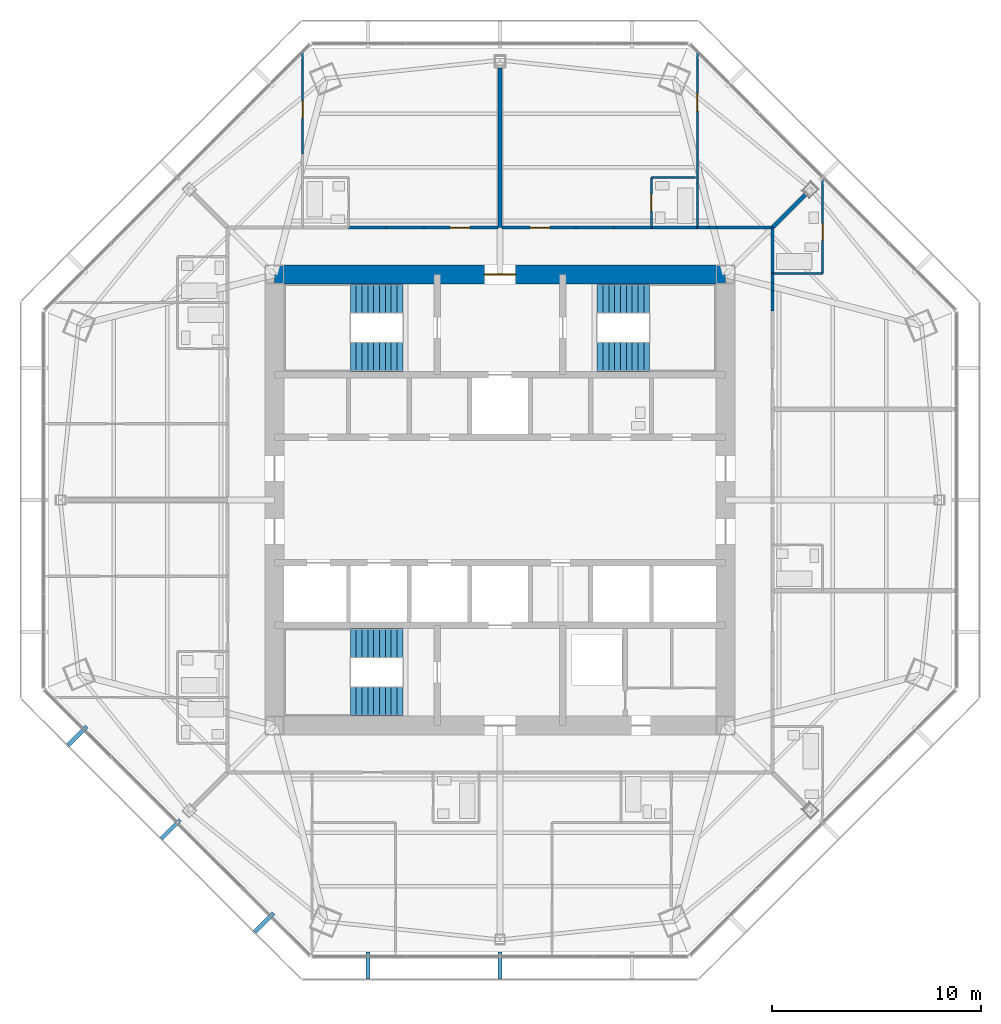
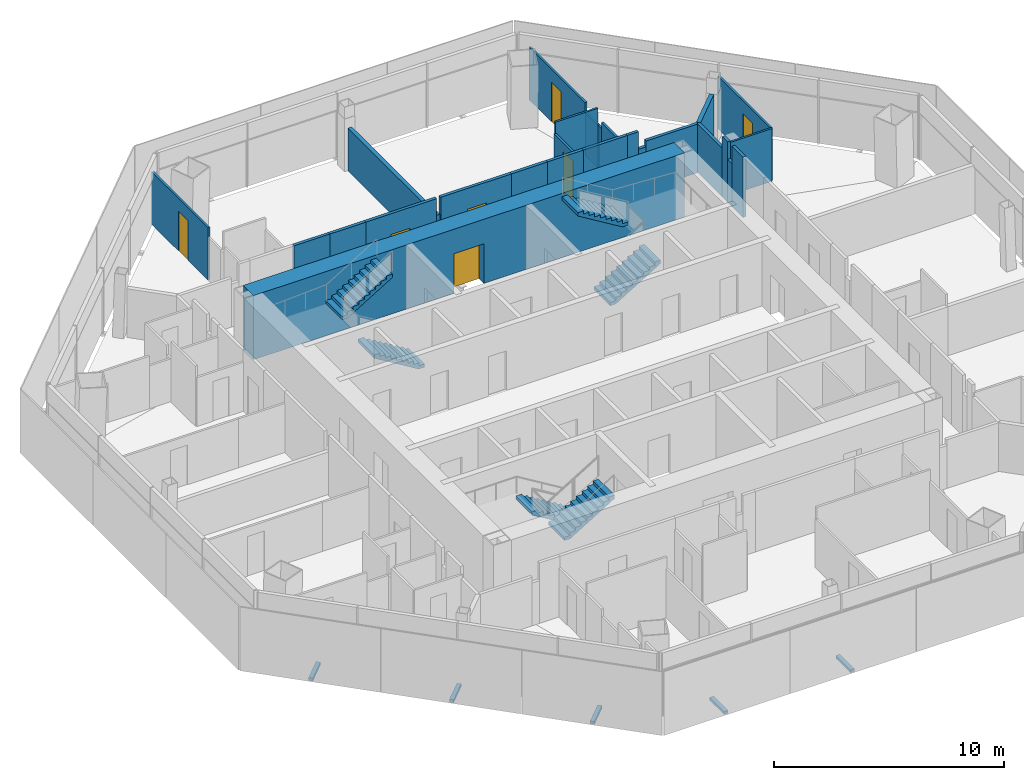
# One storey, part 12 of 16: 26 walls, 7 doors, 6 stair flights, 5 discrete accessories, 7 openings, 3 elements without a shape of their own.
"""IFC4 building model written with IfcOpenShell, lengths in metres."""

import ifcopenshell
import ifcopenshell.guid

model = None  # the IFC model being written
_history = None  # IfcOwnerHistory: only IFC2X3 demands one
_inside = {}  # id of a spatial element -> (the spatial element, [elements in it])
_under = {}  # id of a project, library or spatial element -> (it, [spatial elements below it])
_declared = {}  # id of a project -> (the project, [libraries it declares])
_typed = {}  # id of a type object -> (the type object, [elements of that type])
_made_of = {}  # id of a material, layer set ... -> (it, [elements and type objects made of it])


def new_model(schema):
    """Start an empty IFC model of exactly this schema.

    Asked for "IFC4X3", IfcOpenShell would pick the latest addendum, in which some entities
    have other attributes; the version numbers below select the first issue.
    IFC2X3 requires an IfcOwnerHistory on every rooted entity: one is made here for all.
    """
    global model, _history
    if schema == "IFC4X3":
        model = ifcopenshell.file(schema_version=(4, 3, 0, 0))
    else:
        model = ifcopenshell.file(schema=schema)
    _inside.clear()
    _under.clear()
    _declared.clear()
    _typed.clear()
    _made_of.clear()
    _history = None
    if model.schema == "IFC2X3":
        org = make("IfcOrganization", Name="unknown")
        user = make(
            "IfcPersonAndOrganization",
            ThePerson=make("IfcPerson", FamilyName="unknown"),
            TheOrganization=org,
        )
        app = make(
            "IfcApplication",
            ApplicationDeveloper=org,
            Version="unknown",
            ApplicationFullName="unknown",
            ApplicationIdentifier="unknown",
        )
        _history = make(
            "IfcOwnerHistory",
            OwningUser=user,
            OwningApplication=app,
            ChangeAction="ADDED",
            CreationDate=0,
        )
    return model


def make(cls, **values):
    """One entity of the class cls with the attributes given. An attribute that is None is left unset."""
    return model.create_entity(
        cls, **{name: value for name, value in values.items() if value is not None}
    )


def rooted(cls, **values):
    """An entity with a GlobalId (a new one), such as an element, a storey or a relation."""
    return make(cls, GlobalId=ifcopenshell.guid.new(), OwnerHistory=_history, **values)


def si_unit(unit_type, name, prefix=None):
    """IfcSIUnit, for example si_unit("LENGTHUNIT", "METRE", prefix="MILLI")."""
    return make("IfcSIUnit", UnitType=unit_type, Prefix=prefix, Name=name)


def assignment(units):
    """IfcUnitAssignment: the units of a project."""
    return None if units is None else make("IfcUnitAssignment", Units=units)


def point(xyz):
    """IfcCartesianPoint."""
    return None if xyz is None else make("IfcCartesianPoint", Coordinates=xyz)


def direction(xyz):
    """IfcDirection."""
    return None if xyz is None else make("IfcDirection", DirectionRatios=xyz)


def frame(location, z_axis=None, x_axis=None):
    """IfcAxis2Placement3D, a coordinate frame: its origin and axes. An axis left out is left unset."""
    return make(
        "IfcAxis2Placement3D",
        Location=point(location),
        Axis=direction(z_axis),
        RefDirection=direction(x_axis),
    )


def frame_2d(location, x_axis=None):
    """IfcAxis2Placement2D, a coordinate frame in the plane: its origin and x axis."""
    return make(
        "IfcAxis2Placement2D", Location=point(location), RefDirection=direction(x_axis)
    )


def origin():
    """The frame at (0, 0, 0) with its axes left unset."""
    return frame((0.0, 0.0, 0.0))


def origin_2d():
    """The frame at (0, 0) in the plane with its x axis left unset."""
    return frame_2d((0.0, 0.0))


def place(relative_to, where):
    """IfcLocalPlacement: puts the frame where relative to a parent placement (None: the world)."""
    return make(
        "IfcLocalPlacement", PlacementRelTo=relative_to, RelativePlacement=where
    )


def context(
    kind, dimensions, precision=None, world=None, true_north=None, identifier=None
):
    """IfcGeometricRepresentationContext, for example the 3D "Model" context."""
    return make(
        "IfcGeometricRepresentationContext",
        ContextIdentifier=identifier,
        ContextType=kind,
        CoordinateSpaceDimension=dimensions,
        Precision=precision,
        WorldCoordinateSystem=world,
        TrueNorth=true_north,
    )


def subcontext(parent, identifier, kind, view, scale=None):
    """IfcGeometricRepresentationSubContext, for example "Body" below "Model"."""
    return make(
        "IfcGeometricRepresentationSubContext",
        ContextIdentifier=identifier,
        ContextType=kind,
        ParentContext=parent,
        TargetScale=scale,
        TargetView=view,
    )


def project(units=None, contexts=None):
    """IfcProject with its units and contexts."""
    return rooted(
        "IfcProject",
        Name="project",
        RepresentationContexts=contexts,
        UnitsInContext=assignment(units),
    )


def spatial(cls, under=None, at=None, **own):
    """A site, building, storey or space (cls), placed at a placement, below another one or the project."""
    s = rooted(cls, ObjectPlacement=at, **own)
    if under is not None:
        _under.setdefault(under.id(), (under, []))[1].append(s)
    return s


def polyline(points):
    """IfcPolyline through the points."""
    return make("IfcPolyline", Points=[point(p) for p in points])


def profile(cls, at=None, kind="AREA", **sizes):
    """A parametric profile (cls). Its sizes go by their IFC names, for example OverallWidth=200.0."""
    return make(cls, ProfileType=kind, Position=at, **sizes)


def rectangle(**sizes):
    """IfcRectangleProfileDef."""
    return profile("IfcRectangleProfileDef", **sizes)


def outline(outer, holes=None, kind="AREA"):
    """IfcArbitraryClosedProfileDef: a profile drawn as a closed curve; with holes, ...WithVoids."""
    if holes is None:
        return make("IfcArbitraryClosedProfileDef", ProfileType=kind, OuterCurve=outer)
    return make(
        "IfcArbitraryProfileDefWithVoids",
        ProfileType=kind,
        OuterCurve=outer,
        InnerCurves=holes,
    )


def extrude(swept, where, along, depth):
    """IfcExtrudedAreaSolid: the profile swept, set in the frame where, extruded along a direction by depth."""
    return make(
        "IfcExtrudedAreaSolid",
        SweptArea=swept,
        Position=where,
        ExtrudedDirection=direction(along),
        Depth=depth,
    )


def shape(context_of_items, identifier, shape_type, items):
    """IfcShapeRepresentation: the items that make up one representation, for example the "Body"."""
    return make(
        "IfcShapeRepresentation",
        ContextOfItems=context_of_items,
        RepresentationIdentifier=identifier,
        RepresentationType=shape_type,
        Items=items,
    )


def source(mapping_origin, context_of_items, identifier, shape_type, items):
    """IfcRepresentationMap: a shape defined once, which mapped items show again and again."""
    return make(
        "IfcRepresentationMap",
        MappingOrigin=mapping_origin,
        MappedRepresentation=shape(context_of_items, identifier, shape_type, items),
    )


def transform(
    local_origin,
    x_axis=None,
    y_axis=None,
    z_axis=None,
    scale=None,
    scale2=None,
    scale3=None,
    uniform=True,
):
    """IfcCartesianTransformationOperator3D, or its non-uniform kind. x_axis, y_axis, z_axis: its Axis1, 2, 3."""
    if uniform:
        return make(
            "IfcCartesianTransformationOperator3D",
            Axis1=direction(x_axis),
            Axis2=direction(y_axis),
            LocalOrigin=point(local_origin),
            Scale=scale,
            Axis3=direction(z_axis),
        )
    return make(
        "IfcCartesianTransformationOperator3DnonUniform",
        Axis1=direction(x_axis),
        Axis2=direction(y_axis),
        LocalOrigin=point(local_origin),
        Scale=scale,
        Axis3=direction(z_axis),
        Scale2=scale2,
        Scale3=scale3,
    )


def mapped(mapping_source, mapping_target):
    """IfcMappedItem: shows the shape of a source again, moved by a transform."""
    return make(
        "IfcMappedItem", MappingSource=mapping_source, MappingTarget=mapping_target
    )


def material(Name=None, Category=None):
    """IfcMaterial."""
    return make("IfcMaterial", Name=Name, Category=Category)


def layer(
    of_material, thickness, ventilated=None, Name=None, Category=None, Priority=None
):
    """IfcMaterialLayer: one layer of a wall or slab, of a material (None: an air gap)."""
    return make(
        "IfcMaterialLayer",
        Material=of_material,
        LayerThickness=thickness,
        IsVentilated=ventilated,
        Name=Name,
        Category=Category,
        Priority=Priority,
    )


def layer_set(layers, Name=None):
    """IfcMaterialLayerSet."""
    return make("IfcMaterialLayerSet", MaterialLayers=layers, LayerSetName=Name)


def made_of(thing, what):
    """Note that an element or type object is made of a material, layer set ...; save() writes the relation."""
    if what is not None:
        _made_of.setdefault(what.id(), (what, []))[1].append(thing)
    return thing


def type_object(cls, material=None, **own):
    """A type object (cls), such as IfcWallType, which elements share."""
    return made_of(rooted(cls, **own), material)


def type_shapes(of_type, sources):
    """Give a type object the sources (RepresentationMaps) that its elements show as mapped items."""
    of_type.RepresentationMaps = sources


def element(
    cls,
    number,
    at=None,
    inside=None,
    cuts=None,
    type_object=None,
    material=None,
    context=None,
    identifier="Body",
    shape_type=None,
    held_by="IfcProductDefinitionShape",
    body=None,
    shapes=None,
    **own,
):
    """One element of the class cls, such as IfcWall. Its Tag is "e" and its number.

    at: its placement. inside: the storey or other place that contains it. cuts: it is an
    opening in that element (IfcRelVoidsElement). A single representation is given by context,
    identifier, shape_type and body (its items); several are given by shapes. held_by: the class
    of the entity that holds the representations. save() writes the other relations.
    """
    e = rooted(cls, Tag="e%d" % number, ObjectPlacement=at, **own)
    if body is not None:
        shapes = [shape(context, identifier, shape_type, body)]
    if shapes is not None:
        e.Representation = make(held_by, Representations=shapes)
    if inside is not None:
        _inside.setdefault(inside.id(), (inside, []))[1].append(e)
    if cuts is not None:
        rooted(
            "IfcRelVoidsElement", RelatingBuildingElement=cuts, RelatedOpeningElement=e
        )
    if type_object is not None:
        _typed.setdefault(type_object.id(), (type_object, []))[1].append(e)
    return made_of(e, material)


def fill(opening, filler):
    """IfcRelFillsElement: the door or window that sits in an opening."""
    return rooted(
        "IfcRelFillsElement",
        RelatingOpeningElement=opening,
        RelatedBuildingElement=filler,
    )


def aggregate(whole, parts):
    """IfcRelAggregates: a whole, such as a stair, and the parts it consists of."""
    return rooted("IfcRelAggregates", RelatingObject=whole, RelatedObjects=parts)


def save(model, path):
    """Write the relations noted so far, then the file.

    IfcRelAggregates (storeys below a building ...), IfcRelContainedInSpatialStructure (elements
    in a storey), IfcRelDefinesByType, IfcRelAssociatesMaterial and IfcRelDeclares: one each for
    every whole, place, type object, material and project.
    """
    for whole, parts in _under.values():
        aggregate(whole, parts)
    for where, things in _inside.values():
        rooted(
            "IfcRelContainedInSpatialStructure",
            RelatedElements=things,
            RelatingStructure=where,
        )
    for kind, things in _typed.values():
        rooted("IfcRelDefinesByType", RelatedObjects=things, RelatingType=kind)
    for what, things in _made_of.values():
        rooted("IfcRelAssociatesMaterial", RelatedObjects=things, RelatingMaterial=what)
    for by, libraries in _declared.values():
        rooted("IfcRelDeclares", RelatingContext=by, RelatedDefinitions=libraries)
    model.write(path)


model = new_model("IFC4")

# Units and contexts
model_context = context("Model", 3, precision=1e-05, world=origin(), true_north=direction((0.0, 1.0)))
body_context = subcontext(model_context, "Body", "Model", "MODEL_VIEW")
ifc_project = project(units=[si_unit("LENGTHUNIT", "METRE"), si_unit("AREAUNIT", "SQUARE_METRE"), si_unit("VOLUMEUNIT", "CUBIC_METRE"), si_unit("PLANEANGLEUNIT", "RADIAN"), si_unit("MASSUNIT", "GRAM", prefix="KILO")], contexts=[model_context])

# Site, building, storey
site_placement = place(None, origin())
site = spatial("IfcSite", under=ifc_project, at=site_placement, CompositionType="ELEMENT")
building_placement = place(site_placement, origin())
building = spatial("IfcBuilding", under=site, at=building_placement, Name="Mashrafa Tower", CompositionType="ELEMENT")
storey_placement = place(building_placement, frame((0.0, 0.0, 217.60009765625)))
storey = spatial("IfcBuildingStorey", under=building, at=storey_placement, Name="L50", CompositionType="ELEMENT", Elevation=217.60009765625)

# Walls
ifc_material_1 = material(Name="Gypsum board on steel studs", Category="steel")
ifc_layer_1 = layer(ifc_material_1, 0.199951171875)
ifc_layer_set_1 = layer_set([ifc_layer_1], Name="Acoustic partition 200 1 hr")
wall_type_1 = type_object("IfcWallType", Name="Acoustic partition 200 1 hr", PredefinedType="PARTITIONING", material=ifc_layer_set_1)
wall_1_placement = place(storey_placement, frame((14.6328125, 14.6328125, 0.0), z_axis=(0.0, 0.0, 1.0), x_axis=(-0.707106781187, -0.707106781187, 0.0)))
element("IfcWall", 1, at=wall_1_placement, inside=storey, type_object=wall_type_1, Name="Acoustic wall L50-071", PredefinedType="PARTITIONING", context=body_context, shape_type="SweptSolid", body=[
    extrude(rectangle(XDim=2.23828125, YDim=0.199951171875, at=frame_2d((1.119140625, 0.0))), origin(), (0.0, 0.0, 1.0), 2.577880859375),
])
wall_2_placement = place(storey_placement, frame((0.0, 20.69384765625, 0.0), z_axis=(0.0, 0.0, 1.0), x_axis=(0.0, -1.0, 0.0)))
element("IfcWall", 2, at=wall_2_placement, inside=storey, type_object=wall_type_1, Name="Acoustic wall L50-078", PredefinedType="PARTITIONING", context=body_context, shape_type="SweptSolid", body=[
    extrude(rectangle(XDim=7.643798828125, YDim=0.199951171875, at=frame_2d((3.82177734375, 0.0))), origin(), (0.0, 0.0, 1.0), 2.252685546875),
])

# Wall, opening, door
ifc_material_2 = material(Name="Concrete C50/60", Category="concrete")
ifc_layer_2 = layer(ifc_material_2, 0.89990234375)
ifc_layer_set_2 = layer_set([ifc_layer_2], Name="Core wall 900 C50/60")
wall_type_2 = type_object("IfcWallType", Name="Core wall 900 C50/60", PredefinedType="SOLIDWALL", material=ifc_layer_set_2)
wall_3_placement = place(storey_placement, frame((10.800048828125, 10.800048828125, 0.0), z_axis=(0.0, 0.0, 1.0), x_axis=(-1.0, 0.0, 0.0)))
wall_3 = element("IfcWall", 3, at=wall_3_placement, inside=storey, type_object=wall_type_2, Name="Core wall CW-N L50", PredefinedType="SOLIDWALL", context=body_context, shape_type="SweptSolid", body=[
    extrude(rectangle(XDim=21.60009765625, YDim=0.89990234375, at=frame_2d((10.800048828125, 0.0))), origin(), (0.0, 0.0, 1.0), 3.39990234375),
])
opening_1_placement = place(wall_3_placement, frame((10.050048828125, 0.0, 0.0)))
opening_1 = element("IfcOpeningElement", 4, at=opening_1_placement, cuts=wall_3, Name="Opening 50.034", PredefinedType="OPENING", context=body_context, shape_type="SweptSolid", body=[
    extrude(rectangle(XDim=1.5, YDim=2.10009765625, at=frame_2d((0.75, 1.050048828125))), frame((0.0, 0.4599609375, 0.0), z_axis=(0.0, -1.0, 0.0), x_axis=(1.0, 0.0, 0.0)), (0.0, 0.0, 1.0), 0.919921875),
])
ifc_material_3 = material(Name="Steel door", Category="steel")
door_type_1 = type_object("IfcDoorType", Name="Lobby door pair 1500 x 2100 90 min", OperationType="DOUBLE_DOOR_SINGLE_SWING", PredefinedType="DOOR", material=ifc_material_3)
door_1_placement = place(opening_1_placement, origin())
door_1 = element("IfcDoor", 5, at=door_1_placement, inside=storey, type_object=door_type_1, Name="Fire-fighting lobby F1 door L50", OperationType="DOUBLE_DOOR_SINGLE_SWING", OverallHeight=2.10009765625, OverallWidth=1.5, PredefinedType="DOOR", context=body_context, shape_type="SweptSolid", body=[
    extrude(rectangle(XDim=1.5, YDim=2.10009765625, at=frame_2d((0.75, 1.050048828125))), frame((0.0, 0.02490234375, 0.0), z_axis=(0.0, -1.0, 0.0), x_axis=(1.0, 0.0, 0.0)), (0.0, 0.0, 1.0), 0.050048828125),
])
fill(opening_1, door_1)

# Walls
ifc_material_4 = material(Name="Gypsum board on steel studs", Category="steel")
ifc_layer_3 = layer(ifc_material_4, 0.14990234375)
ifc_layer_set_3 = layer_set([ifc_layer_3], Name="Corridor partition 150 1 hr")
wall_type_3 = type_object("IfcWallType", Name="Corridor partition 150 1 hr", PredefinedType="PARTITIONING", material=ifc_layer_set_3)
wall_4_placement = place(storey_placement, frame((13.050048828125, 10.84912109375, 0.0), z_axis=(0.0, 0.0, 1.0), x_axis=(0.0, 1.0, 0.0)))
element("IfcWall", 6, at=wall_4_placement, inside=storey, type_object=wall_type_3, Name="Corridor wall L50-012", PredefinedType="PARTITIONING", context=body_context, shape_type="SweptSolid", body=[
    extrude(rectangle(XDim=2.200927734375, YDim=0.14990234375, at=frame_2d((1.1005859375, 0.0))), origin(), (0.0, 0.0, 1.0), 2.577880859375),
])
wall_5_placement = place(storey_placement, frame((13.050048828125, 9.049072265625, 0.0), z_axis=(0.0, 0.0, 1.0), x_axis=(0.0, 1.0, 0.0)))
element("IfcWall", 7, at=wall_5_placement, inside=storey, type_object=wall_type_3, Name="Corridor wall L50-015", PredefinedType="PARTITIONING", context=body_context, shape_type="SweptSolid", body=[
    extrude(rectangle(XDim=0.9619140625, YDim=0.14990234375, at=frame_2d((0.48095703125, 0.0))), origin(), (0.0, 0.0, 1.0), 3.199951171875),
])
wall_6_placement = place(storey_placement, frame((13.050048828125, 10.388671875, 0.0), z_axis=(0.0, 0.0, 1.0), x_axis=(0.0, 1.0, 0.0)))
element("IfcWall", 8, at=wall_6_placement, inside=storey, type_object=wall_type_3, Name="Corridor wall L50-016", PredefinedType="PARTITIONING", context=body_context, shape_type="SweptSolid", body=[
    extrude(rectangle(XDim=0.46240234375, YDim=0.14990234375, at=frame_2d((0.231201171875, 0.0))), origin(), (0.0, 0.0, 1.0), 3.199951171875),
])
wall_7_placement = place(storey_placement, frame((13.050048828125, 10.010986328125, 0.0), z_axis=(0.0, 0.0, 1.0), x_axis=(0.0, 1.0, 0.0)))
element("IfcWall", 9, at=wall_7_placement, inside=storey, type_object=wall_type_3, Name="Corridor wall L50-017", PredefinedType="PARTITIONING", context=body_context, shape_type="SweptSolid", body=[
    extrude(rectangle(XDim=0.377685546875, YDim=0.14990234375, at=frame_2d((0.18896484375, 0.0))), origin(), (0.0, 0.0, 1.0), 2.26806640625),
])
wall_8_placement = place(storey_placement, frame((13.050048828125, 13.050048828125, 0.0), z_axis=(0.0, 0.0, 1.0), x_axis=(-1.0, 0.0, 0.0)))
element("IfcWall", 10, at=wall_8_placement, inside=storey, type_object=wall_type_3, Name="Corridor wall L50-018", PredefinedType="PARTITIONING", context=body_context, shape_type="SweptSolid", body=[
    extrude(rectangle(XDim=2.661376953125, YDim=0.14990234375, at=frame_2d((1.33056640625, 0.0))), origin(), (0.0, 0.0, 1.0), 2.577880859375),
])
wall_9_placement = place(storey_placement, frame((10.010986328125, 13.050048828125, 0.0), z_axis=(0.0, 0.0, 1.0), x_axis=(-1.0, 0.0, 0.0)))
element("IfcWall", 11, at=wall_9_placement, inside=storey, type_object=wall_type_3, Name="Corridor wall L50-019", PredefinedType="PARTITIONING", context=body_context, shape_type="SweptSolid", body=[
    extrude(rectangle(XDim=0.56201171875, YDim=0.14990234375, at=frame_2d((0.281005859375, 0.0))), origin(), (0.0, 0.0, 1.0), 3.199951171875),
])
wall_10_placement = place(storey_placement, frame((10.388671875, 13.050048828125, 0.0), z_axis=(0.0, 0.0, 1.0), x_axis=(-1.0, 0.0, 0.0)))
element("IfcWall", 12, at=wall_10_placement, inside=storey, type_object=wall_type_3, Name="Corridor wall L50-020", PredefinedType="PARTITIONING", context=body_context, shape_type="SweptSolid", body=[
    extrude(rectangle(XDim=0.377685546875, YDim=0.14990234375, at=frame_2d((0.18896484375, 0.0))), origin(), (0.0, 0.0, 1.0), 2.26806640625),
])
wall_11_placement = place(storey_placement, frame((9.450927734375, 13.050048828125, 0.0), z_axis=(0.0, 0.0, 1.0), x_axis=(-1.0, 0.0, 0.0)))
element("IfcWall", 13, at=wall_11_placement, inside=storey, type_object=wall_type_3, Name="Corridor wall L50-021", PredefinedType="PARTITIONING", context=body_context, shape_type="SweptSolid", body=[
    extrude(rectangle(XDim=2.201904296875, YDim=0.14990234375, at=frame_2d((1.10107421875, 0.0))), origin(), (0.0, 0.0, 1.0), 3.199951171875),
])
wall_12_placement = place(storey_placement, frame((5.450927734375, 13.050048828125, 0.0), z_axis=(0.0, 0.0, 1.0), x_axis=(-1.0, 0.0, 0.0)))
element("IfcWall", 14, at=wall_12_placement, inside=storey, type_object=wall_type_3, Name="Corridor wall L50-022", PredefinedType="PARTITIONING", context=body_context, shape_type="SweptSolid", body=[
    extrude(rectangle(XDim=1.802001953125, YDim=0.14990234375, at=frame_2d((0.90087890625, 0.0))), origin(), (0.0, 0.0, 1.0), 3.199951171875),
])

# Wall, opening, door
wall_13_placement = place(storey_placement, frame((3.65087890625, 13.050048828125, 0.0), z_axis=(0.0, 0.0, 1.0), x_axis=(-1.0, 0.0, 0.0)))
wall_13 = element("IfcWall", 15, at=wall_13_placement, inside=storey, type_object=wall_type_3, Name="Corridor wall L50-023", PredefinedType="PARTITIONING", context=body_context, shape_type="SweptSolid", body=[
    extrude(rectangle(XDim=3.548828125, YDim=0.14990234375, at=frame_2d((1.7744140625, 0.0))), origin(), (0.0, 0.0, 1.0), 3.199951171875),
])
opening_2_placement = place(wall_13_placement, frame((1.2587890625, 0.0, 0.0)))
opening_2 = element("IfcOpeningElement", 16, at=opening_2_placement, cuts=wall_13, Name="Opening 50.009", PredefinedType="OPENING", context=body_context, shape_type="SweptSolid", body=[
    extrude(rectangle(XDim=0.949951171875, YDim=2.10009765625, at=frame_2d((0.47509765625, 1.050048828125))), frame((0.0, 0.0849609375, 0.0), z_axis=(0.0, -1.0, 0.0), x_axis=(1.0, 0.0, 0.0)), (0.0, 0.0, 1.0), 0.169921875),
])
ifc_material_5 = material(Name="Steel door", Category="steel")
door_type_2 = type_object("IfcDoorType", Name="Residence entrance door 950 x 2100 20 min", OperationType="USERDEFINED", PredefinedType="DOOR", material=ifc_material_5)
door_2_placement = place(opening_2_placement, frame((0.949951171875, 0.0, 0.0), z_axis=(0.0, 0.0, 1.0), x_axis=(-1.0, 0.0, 0.0)))
door_2 = element("IfcDoor", 17, at=door_2_placement, inside=storey, type_object=door_type_2, Name="Apartment 5004 Living Room door", OperationType="SINGLE_SWING_RIGHT", OverallHeight=2.10009765625, OverallWidth=0.949951171875, PredefinedType="DOOR", context=body_context, shape_type="SweptSolid", body=[
    extrude(rectangle(XDim=0.949951171875, YDim=2.10009765625, at=frame_2d((0.47509765625, 1.050048828125))), frame((0.0, 0.02490234375, 0.0), z_axis=(0.0, -1.0, 0.0), x_axis=(1.0, 0.0, 0.0)), (0.0, 0.0, 1.0), 0.050048828125),
])
fill(opening_2, door_2)

# Walls
for number, where, z_axis, x_axis, name in (
    (18, (7.2509765625, 13.050048828125, 0.0), (0.0, 0.0, 1.0), (-1.0, 0.0, 0.0), "Corridor wall L50-024"),
    (19, (-3.64892578125, 13.050048828125, 0.0), (0.0, 0.0, 1.0), (-1.0, 0.0, 0.0), "Corridor wall L50-029"),
    (20, (-5.448974609375, 13.050048828125, 0.0), (0.0, 0.0, 1.0), (-1.0, 0.0, 0.0), "Corridor wall L50-030"),
):
    element("IfcWall", number, at=place(storey_placement, frame(where, z_axis=z_axis, x_axis=x_axis)), inside=storey, type_object=wall_type_3, Name=name, PredefinedType="PARTITIONING", context=body_context, shape_type="SweptSolid", body=[
        extrude(rectangle(XDim=1.802001953125, YDim=0.14990234375, at=frame_2d((0.90087890625, 0.0))), origin(), (0.0, 0.0, 1.0), 3.199951171875),
    ])

# Wall, opening, door
wall_14_placement = place(storey_placement, frame((-0.10205078125, 13.050048828125, 0.0), z_axis=(0.0, 0.0, 1.0), x_axis=(-1.0, 0.0, 0.0)))
wall_14 = element("IfcWall", 21, at=wall_14_placement, inside=storey, type_object=wall_type_3, Name="Corridor wall L50-031", PredefinedType="PARTITIONING", context=body_context, shape_type="SweptSolid", body=[
    extrude(rectangle(XDim=3.548828125, YDim=0.14990234375, at=frame_2d((1.7744140625, 0.0))), origin(), (0.0, 0.0, 1.0), 3.199951171875),
])
opening_3_placement = place(wall_14_placement, frame((1.34033203125, 0.0, 0.0)))
opening_3 = element("IfcOpeningElement", 22, at=opening_3_placement, cuts=wall_14, Name="Opening 50.012", PredefinedType="OPENING", context=body_context, shape_type="SweptSolid", body=[
    extrude(rectangle(XDim=0.949951171875, YDim=2.10009765625, at=frame_2d((0.47509765625, 1.050048828125))), frame((0.0, 0.0849609375, 0.0), z_axis=(0.0, -1.0, 0.0), x_axis=(1.0, 0.0, 0.0)), (0.0, 0.0, 1.0), 0.169921875),
])
door_3_placement = place(opening_3_placement, frame((0.949951171875, 0.0, 0.0), z_axis=(0.0, 0.0, 1.0), x_axis=(-1.0, 0.0, 0.0)))
door_3 = element("IfcDoor", 23, at=door_3_placement, inside=storey, type_object=door_type_2, Name="Apartment 5005 Living Room door", OperationType="SINGLE_SWING_LEFT", OverallHeight=2.10009765625, OverallWidth=0.949951171875, PredefinedType="DOOR", context=body_context, shape_type="SweptSolid", body=[
    extrude(rectangle(XDim=0.949951171875, YDim=2.10009765625, at=frame_2d((0.47509765625, 1.050048828125))), frame((0.0, 0.02490234375, 0.0), z_axis=(0.0, -1.0, 0.0), x_axis=(1.0, 0.0, 0.0)), (0.0, 0.0, 1.0), 0.050048828125),
])
fill(opening_3, door_3)

# Wall
ifc_material_6 = material(Name="Gypsum board on steel studs", Category="steel")
ifc_layer_4 = layer(ifc_material_6, 0.10009765625)
ifc_layer_set_4 = layer_set([ifc_layer_4], Name="Partition 100")
wall_type_4 = type_object("IfcWallType", Name="Partition 100", PredefinedType="PARTITIONING", material=ifc_layer_set_4)
wall_15_placement = place(storey_placement, frame((13.050048828125, 10.85009765625, 0.0), z_axis=(0.0, 0.0, 1.0), x_axis=(1.0, 0.0, 0.0)))
element("IfcWall", 24, at=wall_15_placement, inside=storey, type_object=wall_type_4, Name="Partition wall L50-069", PredefinedType="PARTITIONING", context=body_context, shape_type="SweptSolid", body=[
    extrude(rectangle(XDim=2.39990234375, YDim=0.10009765625, at=frame_2d((1.199951171875, 0.0))), origin(), (0.0, 0.0, 1.0), 2.785888671875),
])

# Wall, opening, door
wall_16_placement = place(storey_placement, frame((15.449951171875, 10.85009765625, 0.0), z_axis=(0.0, 0.0, 1.0), x_axis=(0.0, 1.0, 0.0)))
wall_16 = element("IfcWall", 25, at=wall_16_placement, inside=storey, type_object=wall_type_4, Name="Partition wall L50-070", PredefinedType="PARTITIONING", context=body_context, shape_type="SweptSolid", body=[
    extrude(rectangle(XDim=4.555419921875, YDim=0.10009765625, at=frame_2d((2.27783203125, 0.0))), origin(), (0.0, 0.0, 1.0), 2.783447265625),
])
opening_4_placement = place(wall_16_placement, frame((1.58837890625, 0.0, 0.0)))
opening_4 = element("IfcOpeningElement", 26, at=opening_4_placement, cuts=wall_16, Name="Opening 50.005", PredefinedType="OPENING", context=body_context, shape_type="SweptSolid", body=[
    extrude(rectangle(XDim=0.800048828125, YDim=2.10009765625, at=frame_2d((0.39990234375, 1.050048828125))), frame((0.0, 0.06005859375, 0.0), z_axis=(0.0, -1.0, 0.0), x_axis=(1.0, 0.0, 0.0)), (0.0, 0.0, 1.0), 0.1201171875),
])
ifc_material_7 = material(Name="Timber door", Category="wood")
door_type_3 = type_object("IfcDoorType", Name="Bathroom door 800 x 2100", OperationType="USERDEFINED", PredefinedType="DOOR", material=ifc_material_7)
door_4_placement = place(opening_4_placement, origin())
door_4 = element("IfcDoor", 27, at=door_4_placement, inside=storey, type_object=door_type_3, Name="Apartment 5003 Bathroom door", OperationType="SINGLE_SWING_RIGHT", OverallHeight=2.10009765625, OverallWidth=0.800048828125, PredefinedType="DOOR", context=body_context, shape_type="SweptSolid", body=[
    extrude(rectangle(XDim=0.800048828125, YDim=2.10009765625, at=frame_2d((0.39990234375, 1.050048828125))), frame((0.0, 0.02490234375, 0.0), z_axis=(0.0, -1.0, 0.0), x_axis=(1.0, 0.0, 0.0)), (0.0, 0.0, 1.0), 0.050048828125),
])
fill(opening_4, door_4)

# Walls
wall_17_placement = place(storey_placement, frame((9.449951171875, 15.153076171875, 0.0), z_axis=(0.0, 0.0, 1.0), x_axis=(0.0, -1.0, 0.0)))
element("IfcWall", 28, at=wall_17_placement, inside=storey, type_object=wall_type_4, Name="Partition wall L50-072", PredefinedType="PARTITIONING", context=body_context, shape_type="SweptSolid", body=[
    extrude(rectangle(XDim=2.10302734375, YDim=0.10009765625, at=frame_2d((1.051513671875, 0.0))), origin(), (0.0, 0.0, 1.0), 2.590576171875),
])
wall_18_placement = place(storey_placement, frame((9.449951171875, 15.450927734375, 0.0), z_axis=(0.0, 0.0, 1.0), x_axis=(0.0, -1.0, 0.0)))
element("IfcWall", 29, at=wall_18_placement, inside=storey, type_object=wall_type_4, Name="Partition wall L50-073", PredefinedType="PARTITIONING", context=body_context, shape_type="SweptSolid", body=[
    extrude(rectangle(XDim=0.2978515625, YDim=0.10009765625, at=frame_2d((0.14892578125, 0.0))), origin(), (0.0, 0.0, 1.0), 2.26806640625),
])

# Wall, opening, door
wall_19_placement = place(storey_placement, frame((9.449951171875, 21.441650390625, 0.0), z_axis=(0.0, 0.0, 1.0), x_axis=(0.0, -1.0, 0.0)))
wall_19 = element("IfcWall", 30, at=wall_19_placement, inside=storey, type_object=wall_type_4, Name="Partition wall L50-074", PredefinedType="PARTITIONING", context=body_context, shape_type="SweptSolid", body=[
    extrude(rectangle(XDim=4.873291015625, YDim=0.10009765625, at=frame_2d((2.4365234375, 0.0))), origin(), (0.0, 0.0, 1.0), 2.783447265625),
])
opening_5_placement = place(wall_19_placement, frame((1.965087890625, 0.0, 0.0)))
opening_5 = element("IfcOpeningElement", 31, at=opening_5_placement, cuts=wall_19, Name="Opening 50.007", PredefinedType="OPENING", context=body_context, shape_type="SweptSolid", body=[
    extrude(rectangle(XDim=0.85009765625, YDim=2.10009765625, at=frame_2d((0.425048828125, 1.050048828125))), frame((0.0, 0.06005859375, 0.0), z_axis=(0.0, -1.0, 0.0), x_axis=(1.0, 0.0, 0.0)), (0.0, 0.0, 1.0), 0.1201171875),
])
ifc_material_8 = material(Name="Timber door", Category="wood")
door_type_4 = type_object("IfcDoorType", Name="Bedroom door 850 x 2100", OperationType="USERDEFINED", PredefinedType="DOOR", material=ifc_material_8)
door_5_placement = place(opening_5_placement, origin())
door_5 = element("IfcDoor", 32, at=door_5_placement, inside=storey, type_object=door_type_4, Name="Apartment 5004 Bedroom 1 door", OperationType="SINGLE_SWING_LEFT", OverallHeight=2.10009765625, OverallWidth=0.85009765625, PredefinedType="DOOR", context=body_context, shape_type="SweptSolid", body=[
    extrude(rectangle(XDim=0.85009765625, YDim=2.10009765625, at=frame_2d((0.425048828125, 1.050048828125))), frame((0.0, 0.02490234375, 0.0), z_axis=(0.0, -1.0, 0.0), x_axis=(1.0, 0.0, 0.0)), (0.0, 0.0, 1.0), 0.050048828125),
])
fill(opening_5, door_5)

# Walls
wall_20_placement = place(storey_placement, frame((9.449951171875, 16.568359375, 0.0), z_axis=(0.0, 0.0, 1.0), x_axis=(0.0, -1.0, 0.0)))
element("IfcWall", 33, at=wall_20_placement, inside=storey, type_object=wall_type_4, Name="Partition wall L50-075", PredefinedType="PARTITIONING", context=body_context, shape_type="SweptSolid", body=[
    extrude(rectangle(XDim=1.119384765625, YDim=0.10009765625, at=frame_2d((0.5595703125, 0.0))), origin(), (0.0, 0.0, 1.0), 2.26806640625),
])
wall_21_placement = place(storey_placement, frame((9.370849609375, 15.449951171875, 0.0), z_axis=(0.0, 0.0, 1.0), x_axis=(-1.0, 0.0, 0.0)))
element("IfcWall", 34, at=wall_21_placement, inside=storey, type_object=wall_type_4, Name="Partition wall L50-076", PredefinedType="PARTITIONING", context=body_context, shape_type="SweptSolid", body=[
    extrude(rectangle(XDim=2.120849609375, YDim=0.10009765625, at=frame_2d((1.060546875, 0.0))), origin(), (0.0, 0.0, 1.0), 3.199951171875),
])

# Wall, opening, door
wall_22_placement = place(storey_placement, frame((7.25, 15.449951171875, 0.0), z_axis=(0.0, 0.0, 1.0), x_axis=(0.0, -1.0, 0.0)))
wall_22 = element("IfcWall", 35, at=wall_22_placement, inside=storey, type_object=wall_type_4, Name="Partition wall L50-077", PredefinedType="PARTITIONING", context=body_context, shape_type="SweptSolid", body=[
    extrude(rectangle(XDim=2.39990234375, YDim=0.10009765625, at=frame_2d((1.199951171875, 0.0))), origin(), (0.0, 0.0, 1.0), 2.590576171875),
])
opening_6_placement = place(wall_22_placement, frame((0.800048828125, 0.0, 0.0)))
opening_6 = element("IfcOpeningElement", 36, at=opening_6_placement, cuts=wall_22, Name="Opening 50.008", PredefinedType="OPENING", context=body_context, shape_type="SweptSolid", body=[
    extrude(rectangle(XDim=0.800048828125, YDim=2.10009765625, at=frame_2d((0.39990234375, 1.050048828125))), frame((0.0, 0.06005859375, 0.0), z_axis=(0.0, -1.0, 0.0), x_axis=(1.0, 0.0, 0.0)), (0.0, 0.0, 1.0), 0.1201171875),
])
door_6_placement = place(opening_6_placement, origin())
door_6 = element("IfcDoor", 37, at=door_6_placement, inside=storey, type_object=door_type_3, Name="Apartment 5004 Bathroom door", OperationType="SINGLE_SWING_RIGHT", OverallHeight=2.10009765625, OverallWidth=0.800048828125, PredefinedType="DOOR", context=body_context, shape_type="SweptSolid", body=[
    extrude(rectangle(XDim=0.800048828125, YDim=2.10009765625, at=frame_2d((0.39990234375, 1.050048828125))), frame((0.0, 0.02490234375, 0.0), z_axis=(0.0, -1.0, 0.0), x_axis=(1.0, 0.0, 0.0)), (0.0, 0.0, 1.0), 0.050048828125),
])
fill(opening_6, door_6)

wall_23_placement = place(storey_placement, frame((-9.449951171875, 16.568359375, 0.0), z_axis=(0.0, 0.0, 1.0), x_axis=(0.0, 1.0, 0.0)))
wall_23 = element("IfcWall", 38, at=wall_23_placement, inside=storey, type_object=wall_type_4, Name="Partition wall L50-081", PredefinedType="PARTITIONING", context=body_context, shape_type="SweptSolid", body=[
    extrude(rectangle(XDim=4.873291015625, YDim=0.10009765625, at=frame_2d((2.4365234375, 0.0))), origin(), (0.0, 0.0, 1.0), 2.783447265625),
])
opening_7_placement = place(wall_23_placement, frame((1.704345703125, 0.0, 0.0)))
opening_7 = element("IfcOpeningElement", 39, at=opening_7_placement, cuts=wall_23, Name="Opening 50.010", PredefinedType="OPENING", context=body_context, shape_type="SweptSolid", body=[
    extrude(rectangle(XDim=0.85009765625, YDim=2.10009765625, at=frame_2d((0.425048828125, 1.050048828125))), frame((0.0, 0.06005859375, 0.0), z_axis=(0.0, -1.0, 0.0), x_axis=(1.0, 0.0, 0.0)), (0.0, 0.0, 1.0), 0.1201171875),
])
door_7_placement = place(opening_7_placement, origin())
door_7 = element("IfcDoor", 40, at=door_7_placement, inside=storey, type_object=door_type_4, Name="Apartment 5005 Bedroom 1 door", OperationType="SINGLE_SWING_RIGHT", OverallHeight=2.10009765625, OverallWidth=0.85009765625, PredefinedType="DOOR", context=body_context, shape_type="SweptSolid", body=[
    extrude(rectangle(XDim=0.85009765625, YDim=2.10009765625, at=frame_2d((0.425048828125, 1.050048828125))), frame((0.0, 0.02490234375, 0.0), z_axis=(0.0, -1.0, 0.0), x_axis=(1.0, 0.0, 0.0)), (0.0, 0.0, 1.0), 0.050048828125),
])
fill(opening_7, door_7)

# Stair, stair flights
ifc_material_9 = material(Name="Exit stair 1400")
stair_type = type_object("IfcStairType", Name="Exit stair 1400", PredefinedType="HALF_TURN_STAIR", material=ifc_material_9)
stair_1_placement = place(storey_placement, origin())
stair_1 = element("IfcStair", 41, at=stair_1_placement, inside=storey, type_object=stair_type, Name="Stair S1 L50", PredefinedType="HALF_TURN_STAIR")
ifc_material_10 = material(Name="Concrete C32/40", Category="concrete")
stair_flight_type = type_object("IfcStairFlightType", Name="Stair flight 1400", PredefinedType="STRAIGHT", material=ifc_material_10)
stair_flight_1_placement = place(storey_placement, frame((-4.64990234375, 6.85009765625, 0.0), z_axis=(0.0, 0.0, 1.0), x_axis=(-1.0, 0.0, 0.0)))
stair_flight_1 = element("IfcStairFlight", 42, at=stair_flight_1_placement, type_object=stair_flight_type, Name="S1 flight 1", NumberOfRisers=10, NumberOfTreads=9, PredefinedType="STRAIGHT", RiserHeight=0.17, TreadLength=0.28, context=body_context, shape_type="SweptSolid", body=[
    extrude(outline(polyline([(0.0, 0.0), (0.0, 0.169921875), (0.280029296875, 0.169921875), (0.280029296875, 0.340087890625), (0.56005859375, 0.340087890625), (0.56005859375, 0.510009765625), (0.840087890625, 0.510009765625), (0.840087890625, 0.679931640625), (1.1201171875, 0.679931640625), (1.1201171875, 0.85009765625), (1.39990234375, 0.85009765625), (1.39990234375, 1.02001953125), (1.679931640625, 1.02001953125), (1.679931640625, 1.18994140625), (1.9599609375, 1.18994140625), (1.9599609375, 1.360107421875), (2.239990234375, 1.360107421875), (2.239990234375, 1.530029296875), (2.52001953125, 1.530029296875), (2.52001953125, 1.699951171875), (2.52001953125, 1.354736328125), (0.288818359375, 0.0), (0.0, 0.0)])), frame((0.0, 0.699951171875, 0.0), z_axis=(0.0, -1.0, 0.0), x_axis=(1.0, 0.0, 0.0)), (0.0, 0.0, 1.0), 1.39990234375),
])
stair_flight_2_placement = place(storey_placement, frame((-7.169921875, 9.64990234375, 1.699951171875), z_axis=(0.0, 0.0, 1.0), x_axis=(1.0, 0.0, 0.0)))
stair_flight_2 = element("IfcStairFlight", 43, at=stair_flight_2_placement, type_object=stair_flight_type, Name="S1 flight 2", NumberOfRisers=10, NumberOfTreads=9, PredefinedType="STRAIGHT", RiserHeight=0.17, TreadLength=0.28, context=body_context, shape_type="SweptSolid", body=[
    extrude(outline(polyline([(0.0, 0.0), (0.0, 0.169921875), (0.280029296875, 0.169921875), (0.280029296875, 0.340087890625), (0.56005859375, 0.340087890625), (0.56005859375, 0.510009765625), (0.840087890625, 0.510009765625), (0.840087890625, 0.679931640625), (1.1201171875, 0.679931640625), (1.1201171875, 0.85009765625), (1.39990234375, 0.85009765625), (1.39990234375, 1.02001953125), (1.679931640625, 1.02001953125), (1.679931640625, 1.18994140625), (1.9599609375, 1.18994140625), (1.9599609375, 1.360107421875), (2.239990234375, 1.360107421875), (2.239990234375, 1.530029296875), (2.52001953125, 1.530029296875), (2.52001953125, 1.699951171875), (2.52001953125, 1.354736328125), (0.288818359375, 0.0), (0.0, 0.0)])), frame((0.0, 0.699951171875, 0.0), z_axis=(0.0, -1.0, 0.0), x_axis=(1.0, 0.0, 0.0)), (0.0, 0.0, 1.0), 1.39990234375),
])
aggregate(stair_1, [stair_flight_1, stair_flight_2])

stair_2_placement = place(storey_placement, origin())
stair_2 = element("IfcStair", 44, at=stair_2_placement, inside=storey, type_object=stair_type, Name="Stair S2 L50", PredefinedType="HALF_TURN_STAIR")
stair_flight_3_placement = place(storey_placement, frame((4.64990234375, 6.85009765625, 0.0), z_axis=(0.0, 0.0, 1.0), x_axis=(1.0, 0.0, 0.0)))
stair_flight_3 = element("IfcStairFlight", 45, at=stair_flight_3_placement, type_object=stair_flight_type, Name="S2 flight 1", NumberOfRisers=10, NumberOfTreads=9, PredefinedType="STRAIGHT", RiserHeight=0.17, TreadLength=0.28, context=body_context, shape_type="SweptSolid", body=[
    extrude(outline(polyline([(0.0, 0.0), (0.0, 0.169921875), (0.280029296875, 0.169921875), (0.280029296875, 0.340087890625), (0.56005859375, 0.340087890625), (0.56005859375, 0.510009765625), (0.840087890625, 0.510009765625), (0.840087890625, 0.679931640625), (1.1201171875, 0.679931640625), (1.1201171875, 0.85009765625), (1.39990234375, 0.85009765625), (1.39990234375, 1.02001953125), (1.679931640625, 1.02001953125), (1.679931640625, 1.18994140625), (1.9599609375, 1.18994140625), (1.9599609375, 1.360107421875), (2.239990234375, 1.360107421875), (2.239990234375, 1.530029296875), (2.52001953125, 1.530029296875), (2.52001953125, 1.699951171875), (2.52001953125, 1.354736328125), (0.288818359375, 0.0), (0.0, 0.0)])), frame((0.0, 0.699951171875, 0.0), z_axis=(0.0, -1.0, 0.0), x_axis=(1.0, 0.0, 0.0)), (0.0, 0.0, 1.0), 1.39990234375),
])
stair_flight_4_placement = place(storey_placement, frame((7.169921875, 9.64990234375, 1.699951171875), z_axis=(0.0, 0.0, 1.0), x_axis=(-1.0, 0.0, 0.0)))
stair_flight_4 = element("IfcStairFlight", 46, at=stair_flight_4_placement, type_object=stair_flight_type, Name="S2 flight 2", NumberOfRisers=10, NumberOfTreads=9, PredefinedType="STRAIGHT", RiserHeight=0.17, TreadLength=0.28, context=body_context, shape_type="SweptSolid", body=[
    extrude(outline(polyline([(0.0, 0.0), (0.0, 0.169921875), (0.280029296875, 0.169921875), (0.280029296875, 0.340087890625), (0.56005859375, 0.340087890625), (0.56005859375, 0.510009765625), (0.840087890625, 0.510009765625), (0.840087890625, 0.679931640625), (1.1201171875, 0.679931640625), (1.1201171875, 0.85009765625), (1.39990234375, 0.85009765625), (1.39990234375, 1.02001953125), (1.679931640625, 1.02001953125), (1.679931640625, 1.18994140625), (1.9599609375, 1.18994140625), (1.9599609375, 1.360107421875), (2.239990234375, 1.360107421875), (2.239990234375, 1.530029296875), (2.52001953125, 1.530029296875), (2.52001953125, 1.699951171875), (2.52001953125, 1.354736328125), (0.288818359375, 0.0), (0.0, 0.0)])), frame((0.0, 0.699951171875, 0.0), z_axis=(0.0, -1.0, 0.0), x_axis=(1.0, 0.0, 0.0)), (0.0, 0.0, 1.0), 1.39990234375),
])
aggregate(stair_2, [stair_flight_3, stair_flight_4])

stair_3_placement = place(storey_placement, origin())
stair_3 = element("IfcStair", 47, at=stair_3_placement, inside=storey, type_object=stair_type, Name="Stair S3 L50", PredefinedType="HALF_TURN_STAIR")
stair_flight_5_placement = place(storey_placement, frame((-4.64990234375, -6.85009765625, 0.0), z_axis=(0.0, 0.0, 1.0), x_axis=(-1.0, 0.0, 0.0)))
stair_flight_5 = element("IfcStairFlight", 48, at=stair_flight_5_placement, type_object=stair_flight_type, Name="S3 flight 1", NumberOfRisers=10, NumberOfTreads=9, PredefinedType="STRAIGHT", RiserHeight=0.17, TreadLength=0.28, context=body_context, shape_type="SweptSolid", body=[
    extrude(outline(polyline([(0.0, 0.0), (0.0, 0.169921875), (0.280029296875, 0.169921875), (0.280029296875, 0.340087890625), (0.56005859375, 0.340087890625), (0.56005859375, 0.510009765625), (0.840087890625, 0.510009765625), (0.840087890625, 0.679931640625), (1.1201171875, 0.679931640625), (1.1201171875, 0.85009765625), (1.39990234375, 0.85009765625), (1.39990234375, 1.02001953125), (1.679931640625, 1.02001953125), (1.679931640625, 1.18994140625), (1.9599609375, 1.18994140625), (1.9599609375, 1.360107421875), (2.239990234375, 1.360107421875), (2.239990234375, 1.530029296875), (2.52001953125, 1.530029296875), (2.52001953125, 1.699951171875), (2.52001953125, 1.354736328125), (0.288818359375, 0.0), (0.0, 0.0)])), frame((0.0, 0.699951171875, 0.0), z_axis=(0.0, -1.0, 0.0), x_axis=(1.0, 0.0, 0.0)), (0.0, 0.0, 1.0), 1.39990234375),
])
stair_flight_6_placement = place(storey_placement, frame((-7.169921875, -9.64990234375, 1.699951171875), z_axis=(0.0, 0.0, 1.0), x_axis=(1.0, 0.0, 0.0)))
stair_flight_6 = element("IfcStairFlight", 49, at=stair_flight_6_placement, type_object=stair_flight_type, Name="S3 flight 2", NumberOfRisers=10, NumberOfTreads=9, PredefinedType="STRAIGHT", RiserHeight=0.17, TreadLength=0.28, context=body_context, shape_type="SweptSolid", body=[
    extrude(outline(polyline([(0.0, 0.0), (0.0, 0.169921875), (0.280029296875, 0.169921875), (0.280029296875, 0.340087890625), (0.56005859375, 0.340087890625), (0.56005859375, 0.510009765625), (0.840087890625, 0.510009765625), (0.840087890625, 0.679931640625), (1.1201171875, 0.679931640625), (1.1201171875, 0.85009765625), (1.39990234375, 0.85009765625), (1.39990234375, 1.02001953125), (1.679931640625, 1.02001953125), (1.679931640625, 1.18994140625), (1.9599609375, 1.18994140625), (1.9599609375, 1.360107421875), (2.239990234375, 1.360107421875), (2.239990234375, 1.530029296875), (2.52001953125, 1.530029296875), (2.52001953125, 1.699951171875), (2.52001953125, 1.354736328125), (0.288818359375, 0.0), (0.0, 0.0)])), frame((0.0, 0.699951171875, 0.0), z_axis=(0.0, -1.0, 0.0), x_axis=(1.0, 0.0, 0.0)), (0.0, 0.0, 1.0), 1.39990234375),
])
aggregate(stair_3, [stair_flight_5, stair_flight_6])

# Discrete accessories
ifc_material_11 = material(Name="Stainless steel screen bracket", Category="steel")
discrete_accessory_type = type_object("IfcDiscreteAccessoryType", Name="Screen support bracket 200 x 150", PredefinedType="BRACKET", material=ifc_material_11)
shared_shape = source(origin(), body_context, "Body", "SweptSolid", [
    extrude(rectangle(XDim=0.199951171875, YDim=1.27001953125, at=origin_2d()), origin(), (0.0, 0.0, 1.0), 0.14990234375),
])
type_shapes(discrete_accessory_type, [shared_shape])
for number, where, z_axis, x_axis, name in (
    (50, (-20.23681640625, -11.291748046875, -0.150146484375), (0.0, 0.0, 1.0), (0.707106781187, -0.707106781187, 0.0), "Screen support bracket L50 south-west 1"),
    (51, (-15.764404296875, -15.764404296875, -0.150146484375), (0.0, 0.0, 1.0), (0.707106781187, -0.707106781187, 0.0), "Screen support bracket L50 south-west 2"),
    (52, (-11.291748046875, -20.23681640625, -0.150146484375), (0.0, 0.0, 1.0), (0.707106781187, -0.707106781187, 0.0), "Screen support bracket L50 south-west 3"),
    (53, (-6.324951171875, -22.294189453125, -0.150146484375), (0.0, 0.0, 1.0), (1.0, 0.0, 0.0), "Screen support bracket L50 south 1"),
    (54, (0.0, -22.294189453125, -0.150146484375), (0.0, 0.0, 1.0), (1.0, 0.0, 0.0), "Screen support bracket L50 south 2"),
):
    element("IfcDiscreteAccessory", number, at=place(storey_placement, frame(where, z_axis=z_axis, x_axis=x_axis)), inside=storey, type_object=discrete_accessory_type, Name=name, PredefinedType="BRACKET", context=body_context, shape_type="MappedRepresentation", body=[
        mapped(shared_shape, transform((0.0, 0.0, 0.0))),
    ])

save(model, "model.ifc")
